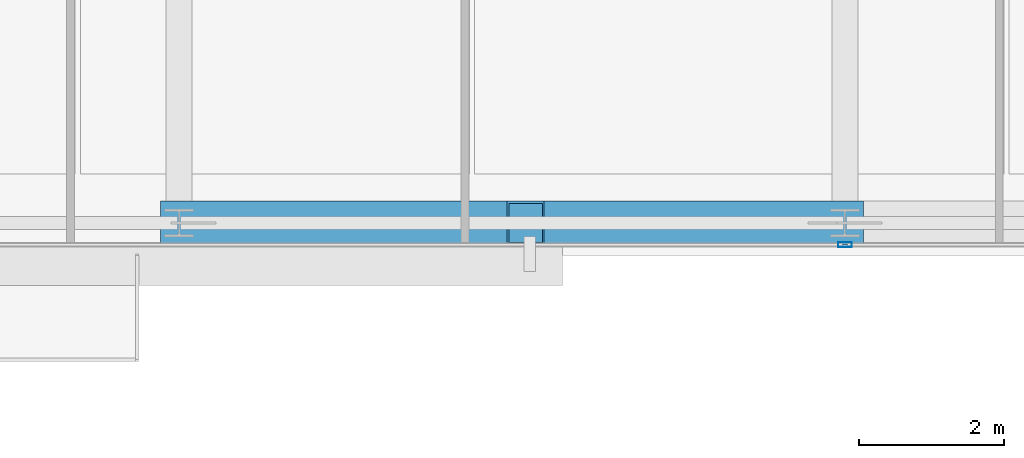
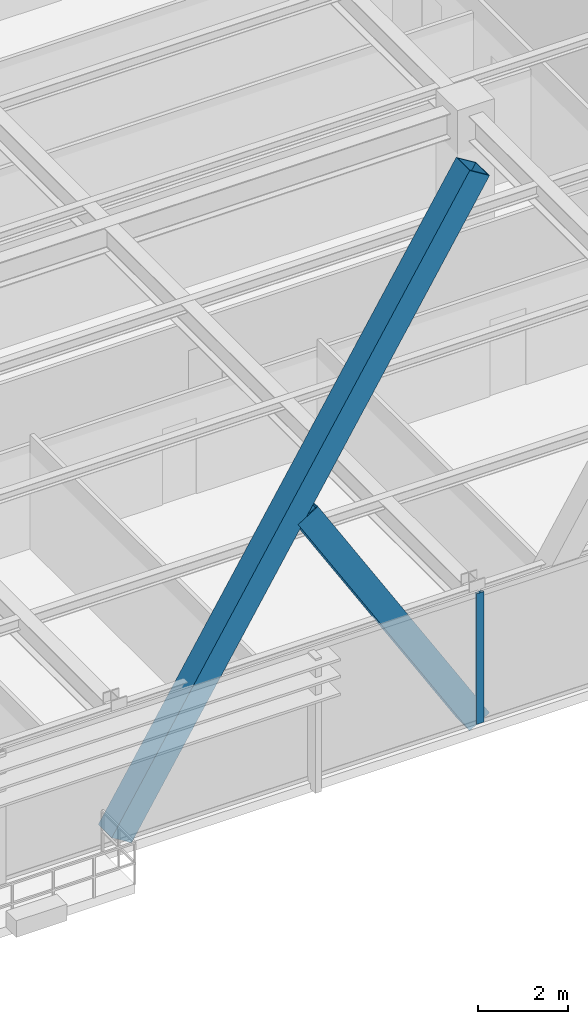
# One storey, part 7 of 37: 3 members, 1 element without a shape of its own.
"""IFC4 building model written with IfcOpenShell, lengths in metres."""

from ifc_helpers import new_model, si_unit, direction, frame, origin, origin_2d, place, context, subcontext, project, spatial, hollow_rectangle, extrude, source, transform, mapped, material, layer, layer_set, material_profile, profile_set, type_object, type_shapes, element, aggregate, save


model = new_model("IFC4")

# Units and contexts
model_context = context("Model", 3, precision=1e-05, world=origin(), true_north=direction((0.0, 1.0)))
body_context = subcontext(model_context, "Body", "Model", "MODEL_VIEW")
ifc_project = project(units=[si_unit("LENGTHUNIT", "METRE"), si_unit("AREAUNIT", "SQUARE_METRE"), si_unit("VOLUMEUNIT", "CUBIC_METRE"), si_unit("PLANEANGLEUNIT", "RADIAN"), si_unit("MASSUNIT", "GRAM", prefix="KILO")], contexts=[model_context])

# Site, building, storey
site_placement = place(None, origin())
site = spatial("IfcSite", under=ifc_project, at=site_placement, CompositionType="ELEMENT")
building_placement = place(site_placement, origin())
building = spatial("IfcBuilding", under=site, at=building_placement, Name="Varnel Quay Broadcast Tower", CompositionType="ELEMENT")
storey_placement = place(building_placement, frame((0.0, 0.0, 103.0)))
storey = spatial("IfcBuildingStorey", under=building, at=storey_placement, Name="L24", CompositionType="ELEMENT", Elevation=103.0)

# Members
ifc_material_1 = material(Name="Structural Steel CSA G40.21 350WT", Category="steel")
ifc_material_profile_1 = material_profile(ifc_material_1, hollow_rectangle(XDim=0.60009765625, YDim=0.60009765625, WallThickness=0.028076171875, at=origin_2d()), Name="BOX600X600X28")
ifc_profile_set_1 = profile_set([ifc_material_profile_1], Name="Structural Steel CSA G40.21 350WT")
member_type_1 = type_object("IfcMemberType", Name="Brace_BOX600X600X28", PredefinedType="BRACE", material=ifc_profile_set_1)
shared_shape_1 = source(origin(), body_context, "Body", "SweptSolid", [
    extrude(hollow_rectangle(XDim=0.60009765625, YDim=0.60009765625, WallThickness=0.028076171875, at=origin_2d()), origin(), (0.0, 0.0, 1.0), 17.519775390625),
])
member_1_placement = place(storey_placement, frame((24.800048828125, 4.64990234375, 0.02001953125), z_axis=(0.525116345996, 0.0, 0.85103044785), x_axis=(0.0, 1.0, 0.0)))
element("IfcMember", 1, at=member_1_placement, inside=storey, type_object=member_type_1, Name="Zone 2 Mega-Brace S-C1T2 Continuous Diag A", PredefinedType="BRACE", context=body_context, shape_type="MappedRepresentation", body=[
    mapped(shared_shape_1, transform((0.0, 0.0, 0.0), x_axis=(1.0, 0.0, 0.0), y_axis=(0.0, 1.0, 0.0), z_axis=(0.0, 0.0, 1.0), scale=1.0)),
])
shared_shape_2 = source(origin(), body_context, "Body", "SweptSolid", [
    extrude(hollow_rectangle(XDim=0.60009765625, YDim=0.60009765625, WallThickness=0.028076171875, at=origin_2d()), origin(), (0.0, 0.0, 1.0), 8.399169921875),
])
type_shapes(member_type_1, [shared_shape_1, shared_shape_2])
member_2_placement = place(storey_placement, frame((34.0, 4.64990234375, 0.02001953125), z_axis=(-0.525125243666, 0.0, 0.851024957604), x_axis=(0.0, -1.0, 0.0)))
element("IfcMember", 2, at=member_2_placement, inside=storey, type_object=member_type_1, Name="Zone 2 Mega-Brace S-C1T2 Split Diag B1", PredefinedType="BRACE", context=body_context, shape_type="MappedRepresentation", body=[
    mapped(shared_shape_2, transform((0.0, 0.0, 0.0), x_axis=(1.0, 0.0, 0.0), y_axis=(0.0, 1.0, 0.0), z_axis=(0.0, 0.0, 1.0), scale=1.0)),
])

# Curtain wall, member
ifc_material_2 = material(Name="Anodised Bronze Aluminium 6063-T6", Category="aluminium")
ifc_layer = layer(ifc_material_2, 0.18994140625, Name="Anodised Bronze Aluminium 6063-T6")
ifc_layer_set = layer_set([ifc_layer], Name="Anodised Bronze Aluminium 6063-T6")
curtain_wall_type = type_object("IfcCurtainWallType", Name="CW_LowerTower", PredefinedType="NOTDEFINED", material=ifc_layer_set)
curtain_wall_placement = place(storey_placement, origin())
curtain_wall = element("IfcCurtainWall", 3, at=curtain_wall_placement, inside=storey, type_object=curtain_wall_type, Name="L24 South Unitised Curtain Wall 2", PredefinedType="NOTDEFINED")
ifc_material_profile_2 = material_profile(ifc_material_2, hollow_rectangle(XDim=0.070068359375, YDim=0.18994140625, WallThickness=0.00390625, at=origin_2d()), Name="ALU70X190X4")
ifc_profile_set_2 = profile_set([ifc_material_profile_2], Name="Anodised Bronze Aluminium 6063-T6")
member_type_2 = type_object("IfcMemberType", Name="Mull_CWS-02", PredefinedType="MULLION", material=ifc_profile_set_2)
shared_shape_3 = source(origin(), body_context, "Body", "SweptSolid", [
    extrude(hollow_rectangle(XDim=0.070068359375, YDim=0.18994140625, WallThickness=0.00390625, at=origin_2d()), origin(), (0.0, 0.0, 1.0), 3.550048828125),
])
type_shapes(member_type_2, [shared_shape_3])
member_3_placement = place(storey_placement, frame((34.0, 4.35009765625, 0.0), z_axis=(0.0, 0.0, 1.0), x_axis=(0.0, 1.0, 0.0)))
member_3 = element("IfcMember", 4, at=member_3_placement, type_object=member_type_2, Name="CWS-02 mullion 2", PredefinedType="MULLION", context=body_context, shape_type="MappedRepresentation", body=[
    mapped(shared_shape_3, transform((0.0, 0.0, 0.0), x_axis=(1.0, 0.0, 0.0), y_axis=(0.0, 1.0, 0.0), z_axis=(0.0, 0.0, 1.0), scale=1.0)),
])
aggregate(curtain_wall, [member_3])

save(model, "model.ifc")
